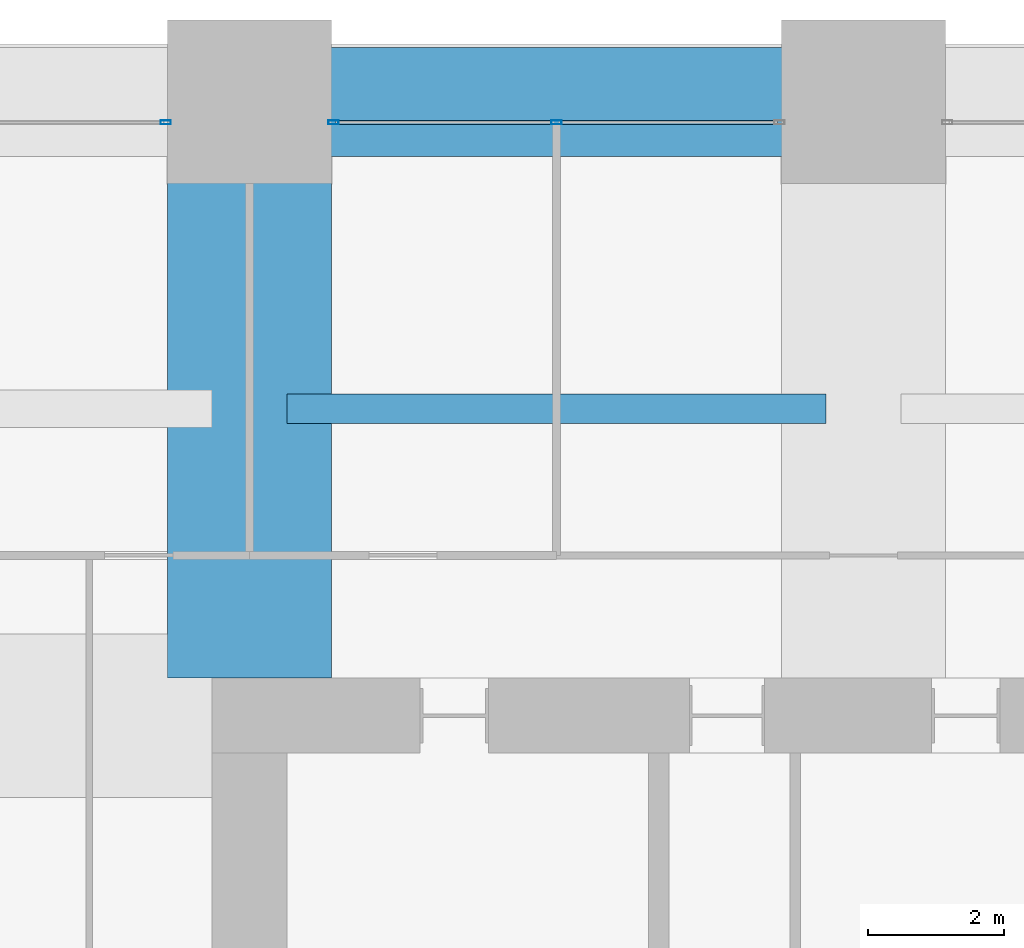
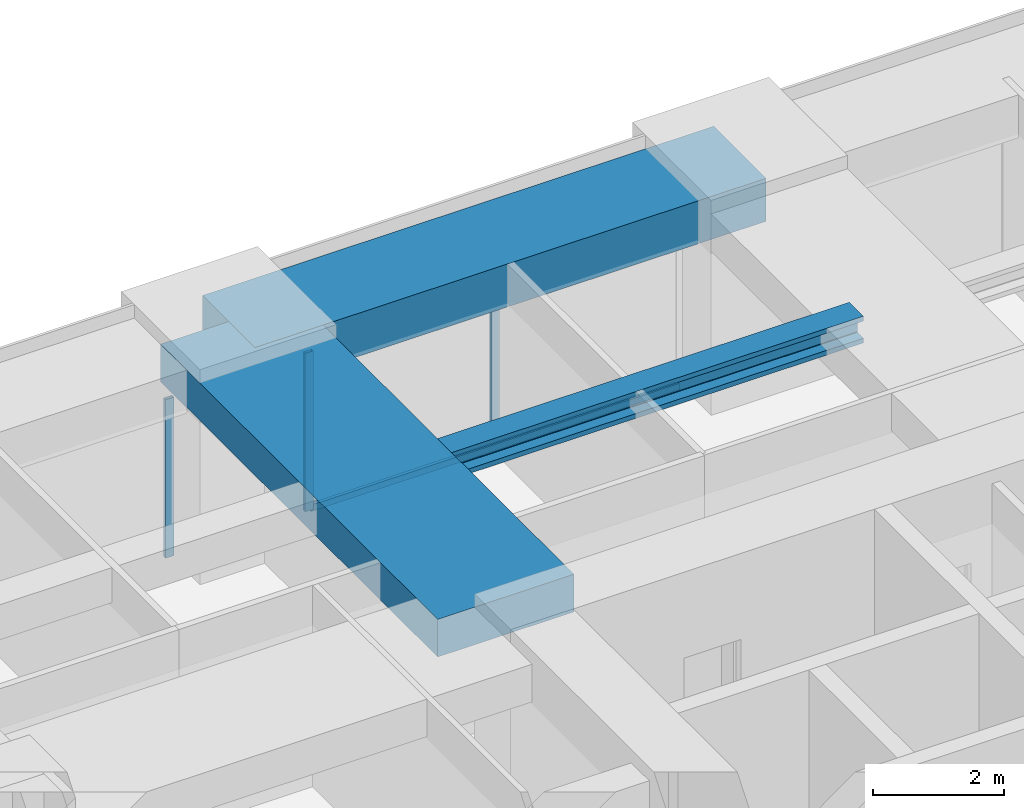
# One storey, part 23 of 35: 4 members, 3 beams, 2 elements without a shape of their own.
"""IFC4 building model written with IfcOpenShell, lengths in metres."""

from ifc_helpers import new_model, si_unit, direction, frame, origin, origin_2d, place, context, subcontext, project, spatial, rectangle, hollow_rectangle, i_section, extrude, material, material_profile, profile_set, type_object, element, aggregate, save


model = new_model("IFC4")

# Units and contexts
model_context = context("Model", 3, precision=1e-05, world=origin(), true_north=direction((0.0, 1.0)))
body_context = subcontext(model_context, "Body", "Model", "MODEL_VIEW")
ifc_project = project(units=[si_unit("LENGTHUNIT", "METRE"), si_unit("AREAUNIT", "SQUARE_METRE"), si_unit("VOLUMEUNIT", "CUBIC_METRE"), si_unit("PLANEANGLEUNIT", "RADIAN"), si_unit("MASSUNIT", "GRAM", prefix="KILO")], contexts=[model_context])

# Site, building, storey
site_placement = place(None, origin())
site = spatial("IfcSite", under=ifc_project, at=site_placement, CompositionType="ELEMENT")
building_placement = place(site_placement, origin())
building = spatial("IfcBuilding", under=site, at=building_placement, Name="Zorevar Civic Tower", CompositionType="ELEMENT")
storey_placement = place(building_placement, frame((0.0, 0.0, 222.199951171875)))
storey = spatial("IfcBuildingStorey", under=building, at=storey_placement, Name="L54", CompositionType="ELEMENT", Elevation=222.199951171875)

# Beam
ifc_material_1 = material(Name="Concrete C50/60", Category="concrete")
ifc_material_profile_1 = material_profile(ifc_material_1, rectangle(XDim=2.39990234375, YDim=0.699951171875, at=origin_2d()), Name="RC 2400x700")
ifc_profile_set_1 = profile_set([ifc_material_profile_1], Name="Concrete C50/60")
beam_type_1 = type_object("IfcBeamType", Name="Beam RC 2400x700", PredefinedType="BEAM", material=ifc_profile_set_1)
beam_1_placement = place(storey_placement, frame((18.0, 36.550048828125, 3.400146484375), z_axis=(0.0, 1.0, 0.0), x_axis=(-1.0, 0.0, 0.0)))
element("IfcBeam", 1, at=beam_1_placement, inside=storey, type_object=beam_type_1, Name="Girder L55", PredefinedType="BEAM", context=body_context, shape_type="SweptSolid", body=[
    extrude(rectangle(XDim=2.39990234375, YDim=0.699951171875, at=origin_2d()), origin(), (0.0, 0.0, 1.0), 8.449951171875),
])

# Curtain wall, member
ifc_material_2 = material(Name="Dark grey solar-control glass in black aluminium frame", Category="aluminium")
curtain_wall_type = type_object("IfcCurtainWallType", Name="Curtain wall CW4 high zone", PredefinedType="NOTDEFINED", material=ifc_material_2)
curtain_wall_1_placement = place(storey_placement, origin())
curtain_wall_1 = element("IfcCurtainWall", 2, at=curtain_wall_1_placement, inside=storey, type_object=curtain_wall_type, Name="CW4 L54", PredefinedType="NOTDEFINED")
ifc_material_3 = material(Name="Aluminium, black anodised", Category="aluminium")
ifc_material_profile_2 = material_profile(ifc_material_3, hollow_rectangle(XDim=0.06005859375, YDim=0.14990234375, WallThickness=0.00390625, at=origin_2d()), Name="AL 150x60x4")
ifc_profile_set_2 = profile_set([ifc_material_profile_2], Name="Aluminium, black anodised")
member_type_1 = type_object("IfcMemberType", Name="CW4 mullion AL 150x60x4", PredefinedType="MULLION", material=ifc_profile_set_2)
member_1_placement = place(storey_placement, frame((16.77001953125, 44.699951171875, 0.0), z_axis=(0.0, 0.0, 1.0), x_axis=(0.0, 1.0, 0.0)))
member_1 = element("IfcMember", 3, at=member_1_placement, type_object=member_type_1, Name="CW4 mullion 3", PredefinedType="MULLION", context=body_context, shape_type="SweptSolid", body=[
    extrude(hollow_rectangle(XDim=0.06005859375, YDim=0.14990234375, WallThickness=0.00390625, at=origin_2d()), origin(), (0.0, 0.0, 1.0), 2.949951171875),
])
aggregate(curtain_wall_1, [member_1])

# Curtain wall, members
curtain_wall_2_placement = place(storey_placement, origin())
curtain_wall_2 = element("IfcCurtainWall", 4, at=curtain_wall_2_placement, inside=storey, type_object=curtain_wall_type, Name="CW4 L54", PredefinedType="NOTDEFINED")
member_2_placement = place(storey_placement, frame((19.22998046875, 44.699951171875, 0.0), z_axis=(0.0, 0.0, 1.0), x_axis=(0.0, 1.0, 0.0)))
member_2 = element("IfcMember", 5, at=member_2_placement, type_object=member_type_1, Name="CW4 mullion 1", PredefinedType="MULLION", context=body_context, shape_type="SweptSolid", body=[
    extrude(hollow_rectangle(XDim=0.06005859375, YDim=0.14990234375, WallThickness=0.00390625, at=origin_2d()), origin(), (0.0, 0.0, 1.0), 2.949951171875),
])
member_3_placement = place(storey_placement, frame((22.5, 44.699951171875, 0.06005859375), z_axis=(0.0, 0.0, 1.0), x_axis=(0.0, 1.0, 0.0)))
member_3 = element("IfcMember", 6, at=member_3_placement, type_object=member_type_1, Name="CW4 mullion 2", PredefinedType="MULLION", context=body_context, shape_type="SweptSolid", body=[
    extrude(hollow_rectangle(XDim=0.06005859375, YDim=0.14990234375, WallThickness=0.00390625, at=origin_2d()), origin(), (0.0, 0.0, 1.0), 2.889892578125),
])
ifc_material_4 = material(Name="Aluminium, black anodised", Category="aluminium")
ifc_material_profile_3 = material_profile(ifc_material_4, hollow_rectangle(XDim=0.06005859375, YDim=0.1201171875, WallThickness=0.0029296875, at=origin_2d()), Name="AL 120x60x3")
ifc_profile_set_3 = profile_set([ifc_material_profile_3], Name="Aluminium, black anodised")
member_type_2 = type_object("IfcMemberType", Name="CW4 transom AL 120x60x3", PredefinedType="USERDEFINED", material=ifc_profile_set_3)
member_4_placement = place(storey_placement, frame((19.260009765625, 44.699951171875, 0.030029296875), z_axis=(1.0, 0.0, 0.0), x_axis=(0.0, 1.0, 0.0)))
member_4 = element("IfcMember", 7, at=member_4_placement, type_object=member_type_2, Name="CW4 sill transom", ObjectType="TRANSOM", PredefinedType="USERDEFINED", context=body_context, shape_type="SweptSolid", body=[
    extrude(hollow_rectangle(XDim=0.06005859375, YDim=0.1201171875, WallThickness=0.0029296875, at=origin_2d()), origin(), (0.0, 0.0, 1.0), 6.47998046875),
])
aggregate(curtain_wall_2, [member_2, member_3, member_4])

# Beams
ifc_material_5 = material(Name="Steel S460M (HISTAR 460)", Category="steel")
ifc_material_profile_4 = material_profile(ifc_material_5, i_section(OverallWidth=0.431884765625, OverallDepth=0.498046875, WebThickness=0.0556640625, FlangeThickness=0.0888671875, FilletRadius=0.014892578125, at=origin_2d()), Name="HD 400x744")
ifc_profile_set_4 = profile_set([ifc_material_profile_4], Name="Steel S460M (HISTAR 460)")
beam_type_2 = type_object("IfcBeamType", Name="Core bay beam HD 400x744", PredefinedType="BEAM", material=ifc_profile_set_4)
beam_2_placement = place(storey_placement, frame((18.550048828125, 40.5, 3.5009765625), z_axis=(1.0, 0.0, 0.0), x_axis=(0.0, 1.0, 0.0)))
element("IfcBeam", 8, at=beam_2_placement, inside=storey, type_object=beam_type_2, Name="Secondary beam L55", PredefinedType="BEAM", context=body_context, shape_type="SweptSolid", body=[
    extrude(i_section(OverallWidth=0.431884765625, OverallDepth=0.498046875, WebThickness=0.0556640625, FlangeThickness=0.0888671875, FilletRadius=0.014892578125, at=origin_2d()), origin(), (0.0, 0.0, 1.0), 7.89990234375),
])
ifc_material_6 = material(Name="Concrete C50/60", Category="concrete")
ifc_material_profile_5 = material_profile(ifc_material_6, rectangle(XDim=1.60009765625, YDim=0.800048828125, at=origin_2d()), Name="RC 1600x800")
ifc_profile_set_5 = profile_set([ifc_material_profile_5], Name="Concrete C50/60")
beam_type_3 = type_object("IfcBeamType", Name="Edge beam RC 1600x800", PredefinedType="SPANDREL", material=ifc_profile_set_5)
beam_3_placement = place(storey_placement, frame((18.0, 45.0, 3.35009765625), z_axis=(1.0, 0.0, 0.0), x_axis=(0.0, 1.0, 0.0)))
element("IfcBeam", 9, at=beam_3_placement, inside=storey, type_object=beam_type_3, Name="Edge beam L55", PredefinedType="SPANDREL", context=body_context, shape_type="SweptSolid", body=[
    extrude(rectangle(XDim=1.60009765625, YDim=0.800048828125, at=origin_2d()), origin(), (0.0, 0.0, 1.0), 9.0),
])

save(model, "model.ifc")
